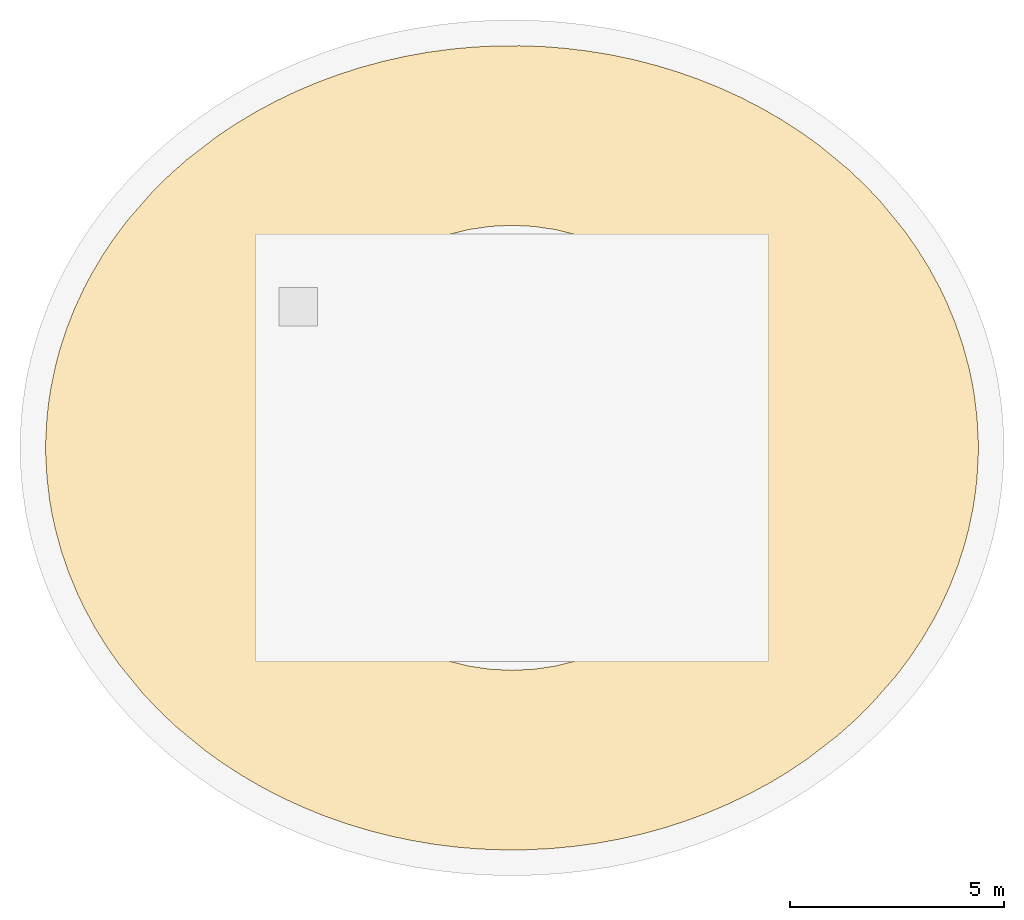
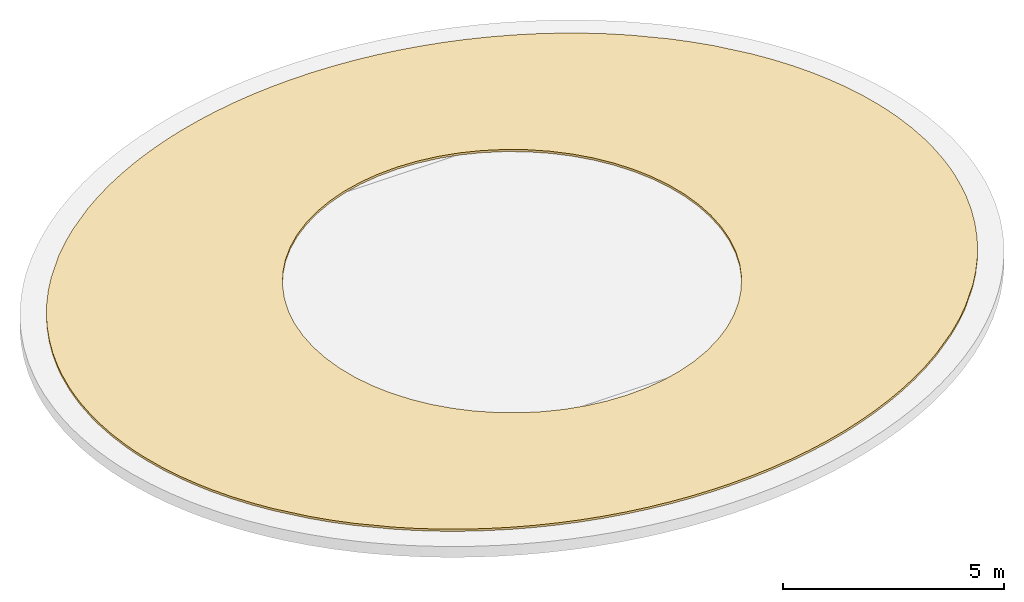
# One storey, part 2 of 2: 1 covering.
"""IFC4 building model written with IfcOpenShell, lengths in metres."""

from ifc_helpers import new_model, si_unit, direction, frame, origin, place, context, subcontext, project, spatial, line, indexed_curve, outline, extrude, material, layer, layer_set, type_object, element, save


model = new_model("IFC4")

# Units and contexts
model_context = context("Model", 3, precision=1e-05, world=origin(), true_north=direction((0.0, 1.0)))
body_context = subcontext(model_context, "Body", "Model", "MODEL_VIEW")
ifc_project = project(units=[si_unit("LENGTHUNIT", "METRE"), si_unit("AREAUNIT", "SQUARE_METRE"), si_unit("VOLUMEUNIT", "CUBIC_METRE"), si_unit("PLANEANGLEUNIT", "RADIAN"), si_unit("MASSUNIT", "GRAM", prefix="KILO")], contexts=[model_context])

# Site, building, storey
site_placement = place(None, origin())
site = spatial("IfcSite", under=ifc_project, at=site_placement, CompositionType="ELEMENT")
building_placement = place(site_placement, origin())
building = spatial("IfcBuilding", under=site, at=building_placement, Name="Spindrift Exchange Tower", CompositionType="ELEMENT")
storey_placement = place(building_placement, frame((0.0, 0.0, 290.60009765625)))
storey = spatial("IfcBuildingStorey", under=building, at=storey_placement, Name="ROOF", CompositionType="ELEMENT", Elevation=290.60009765625)

# Covering
ifc_material = material(Name="Bituminous roofing membrane with gravel ballast")
ifc_layer = layer(ifc_material, 0.06005859375)
ifc_layer_set = layer_set([ifc_layer], Name="LEDGE ROOFING 60")
covering_type = type_object("IfcCoveringType", Name="LEDGE ROOFING 60", PredefinedType="ROOFING", material=ifc_layer_set)
covering_placement = place(storey_placement, origin())
element("IfcCovering", 1, at=covering_placement, inside=storey, type_object=covering_type, Name="L71 Roofing 1", PredefinedType="ROOFING", context=body_context, shape_type="SweptSolid", body=[
    extrude(outline(indexed_curve([(62.8984375, 47.8251953125), (62.8701171875, 47.30078125), (62.83203125, 46.953125), (62.779296875, 46.607421875), (62.6728515625, 46.0927734375), (62.583984375, 45.75390625), (62.423828125, 45.25390625), (62.232421875, 44.7626953125), (62.01171875, 44.2841796875), (61.84765625, 43.97265625), (61.580078125, 43.517578125), (61.28515625, 43.078125), (60.9658203125, 42.65625), (60.3818359375, 41.9921875), (60.001953125, 41.6201171875), (59.603515625, 41.2666015625), (58.8994140625, 40.724609375), (58.4560546875, 40.427734375), (57.998046875, 40.15234375), (57.5263671875, 39.8994140625), (57.0439453125, 39.66796875), (56.5498046875, 39.458984375), (56.046875, 39.2724609375), (55.53515625, 39.1083984375), (55.017578125, 38.9677734375), (54.4931640625, 38.849609375), (53.9638671875, 38.75390625), (53.431640625, 38.681640625), (52.8955078125, 38.6318359375), (52.3583984375, 38.60546875), (51.8203125, 38.6015625), (51.283203125, 38.6201171875), (50.7470703125, 38.662109375), (50.212890625, 38.7275390625), (49.6826171875, 38.8154296875), (49.1572265625, 38.92578125), (48.63671875, 39.0595703125), (48.123046875, 39.2158203125), (47.6171875, 39.39453125), (47.1201171875, 39.595703125), (46.6328125, 39.8193359375), (46.158203125, 40.0654296875), (45.6953125, 40.333984375), (45.24609375, 40.623046875), (44.8134765625, 40.9345703125), (44.1279296875, 41.5), (43.7431640625, 41.8662109375), (43.3779296875, 42.251953125), (42.818359375, 42.935546875), (42.515625, 43.3701171875), (42.23828125, 43.8193359375), (41.98828125, 44.2841796875), (41.837890625, 44.6025390625), (41.63671875, 45.0888671875), (41.4658203125, 45.5859375), (41.3271484375, 46.0927734375), (41.251953125, 46.435546875), (41.1923828125, 46.7802734375), (41.1298828125, 47.30078125), (41.1015625, 47.8251953125), (41.1015625, 48.1748046875), (41.1298828125, 48.69921875), (41.16796875, 49.046875), (41.220703125, 49.392578125), (41.3271484375, 49.9072265625), (41.416015625, 50.24609375), (41.576171875, 50.74609375), (41.767578125, 51.2373046875), (41.98828125, 51.7158203125), (42.15234375, 52.02734375), (42.419921875, 52.482421875), (42.71484375, 52.921875), (43.0341796875, 53.34375), (43.6181640625, 54.0078125), (43.998046875, 54.3798828125), (44.396484375, 54.7333984375), (45.1005859375, 55.275390625), (45.5439453125, 55.572265625), (46.001953125, 55.84765625), (46.4736328125, 56.1005859375), (46.9560546875, 56.33203125), (47.4501953125, 56.541015625), (47.953125, 56.7275390625), (48.46484375, 56.8916015625), (48.982421875, 57.0322265625), (49.5068359375, 57.150390625), (50.0361328125, 57.24609375), (50.568359375, 57.318359375), (51.1044921875, 57.3681640625), (51.6416015625, 57.39453125), (52.1796875, 57.3984375), (52.716796875, 57.3798828125), (53.2529296875, 57.337890625), (53.787109375, 57.2724609375), (54.3173828125, 57.1845703125), (54.8427734375, 57.07421875), (55.36328125, 56.9404296875), (55.876953125, 56.7841796875), (56.3828125, 56.60546875), (56.8798828125, 56.404296875), (57.3671875, 56.1806640625), (57.841796875, 55.9345703125), (58.3046875, 55.666015625), (58.75390625, 55.376953125), (59.1865234375, 55.0654296875), (59.8720703125, 54.5), (60.2568359375, 54.1337890625), (60.6220703125, 53.748046875), (61.181640625, 53.064453125), (61.484375, 52.6298828125), (61.76171875, 52.1806640625), (62.01171875, 51.7158203125), (62.162109375, 51.3974609375), (62.36328125, 50.9111328125), (62.5341796875, 50.4140625), (62.6728515625, 49.9072265625), (62.748046875, 49.564453125), (62.8076171875, 49.2197265625), (62.8701171875, 48.69921875), (62.8984375, 48.1748046875)], segments=[line(1, 2, 3, 4, 5, 6, 7, 8, 9, 10, 11, 12, 13, 14, 15, 16, 17, 18, 19, 20, 21, 22, 23, 24, 25, 26, 27, 28, 29, 30, 31, 32, 33, 34, 35, 36, 37, 38, 39, 40, 41, 42, 43, 44, 45, 46, 47, 48, 49, 50, 51, 52, 53, 54, 55, 56, 57, 58, 59, 60, 61, 62, 63, 64, 65, 66, 67, 68, 69, 70, 71, 72, 73, 74, 75, 76, 77, 78, 79, 80, 81, 82, 83, 84, 85, 86, 87, 88, 89, 90, 91, 92, 93, 94, 95, 96, 97, 98, 99, 100, 101, 102, 103, 104, 105, 106, 107, 108, 109, 110, 111, 112, 113, 114, 115, 116, 117, 118, 119, 120, 1)], self_intersect=False), holes=[indexed_curve([(57.1748046875, 48.509765625), (57.1005859375, 49.0146484375), (56.9765625, 49.509765625), (56.8046875, 49.990234375), (56.5859375, 50.451171875), (56.3232421875, 50.888671875), (56.01953125, 51.298828125), (55.6767578125, 51.6767578125), (55.298828125, 52.01953125), (54.888671875, 52.3232421875), (54.451171875, 52.5859375), (53.990234375, 52.8046875), (53.509765625, 52.9765625), (53.0146484375, 53.1005859375), (52.509765625, 53.1748046875), (52.0, 53.2001953125), (51.490234375, 53.1748046875), (50.9853515625, 53.1005859375), (50.490234375, 52.9765625), (50.009765625, 52.8046875), (49.548828125, 52.5859375), (49.111328125, 52.3232421875), (48.701171875, 52.01953125), (48.3232421875, 51.6767578125), (47.98046875, 51.298828125), (47.6767578125, 50.888671875), (47.4140625, 50.451171875), (47.1953125, 49.990234375), (47.0234375, 49.509765625), (46.8994140625, 49.0146484375), (46.8251953125, 48.509765625), (46.7998046875, 48.0), (46.8251953125, 47.490234375), (46.8994140625, 46.9853515625), (47.0234375, 46.490234375), (47.1953125, 46.009765625), (47.4140625, 45.548828125), (47.6767578125, 45.111328125), (47.98046875, 44.701171875), (48.3232421875, 44.3232421875), (48.701171875, 43.98046875), (49.111328125, 43.6767578125), (49.548828125, 43.4140625), (50.009765625, 43.1953125), (50.490234375, 43.0234375), (50.9853515625, 42.8994140625), (51.490234375, 42.8251953125), (52.0, 42.7998046875), (52.509765625, 42.8251953125), (53.0146484375, 42.8994140625), (53.509765625, 43.0234375), (53.990234375, 43.1953125), (54.451171875, 43.4140625), (54.888671875, 43.6767578125), (55.298828125, 43.98046875), (55.6767578125, 44.3232421875), (56.01953125, 44.701171875), (56.3232421875, 45.111328125), (56.5859375, 45.548828125), (56.8046875, 46.009765625), (56.9765625, 46.490234375), (57.1005859375, 46.9853515625), (57.1748046875, 47.490234375), (57.2001953125, 48.0)], segments=[line(1, 2, 3, 4, 5, 6, 7, 8, 9, 10, 11, 12, 13, 14, 15, 16, 17, 18, 19, 20, 21, 22, 23, 24, 25, 26, 27, 28, 29, 30, 31, 32, 33, 34, 35, 36, 37, 38, 39, 40, 41, 42, 43, 44, 45, 46, 47, 48, 49, 50, 51, 52, 53, 54, 55, 56, 57, 58, 59, 60, 61, 62, 63, 64, 1)], self_intersect=False)]), origin(), (0.0, 0.0, 1.0), 0.059814453125),
])

save(model, "model.ifc")
